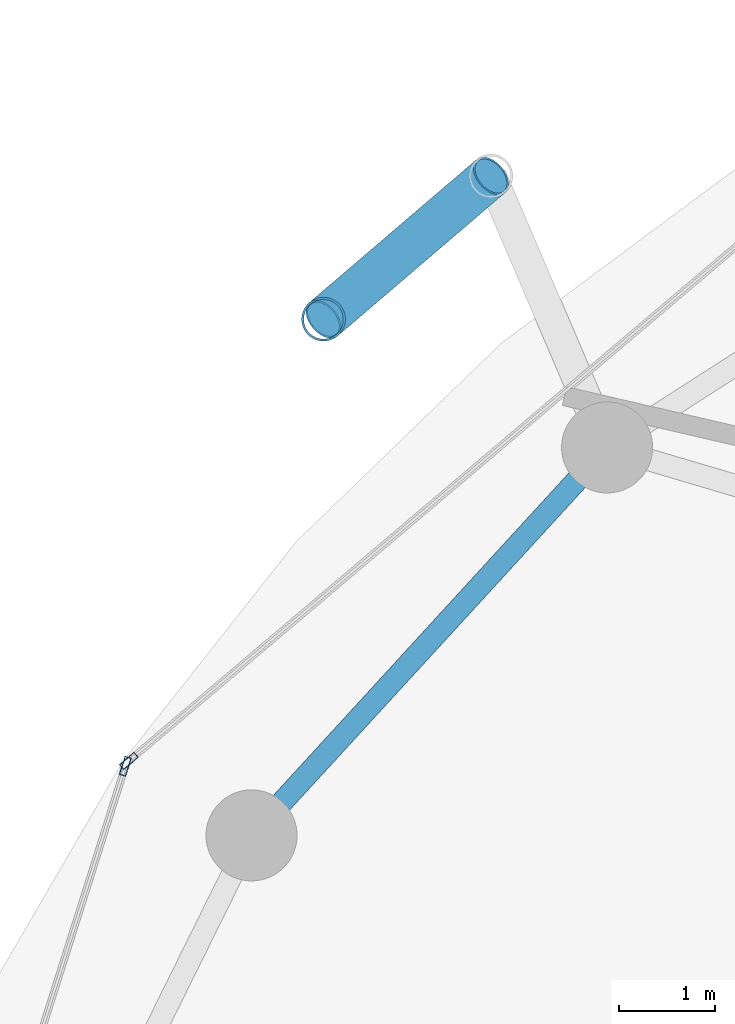
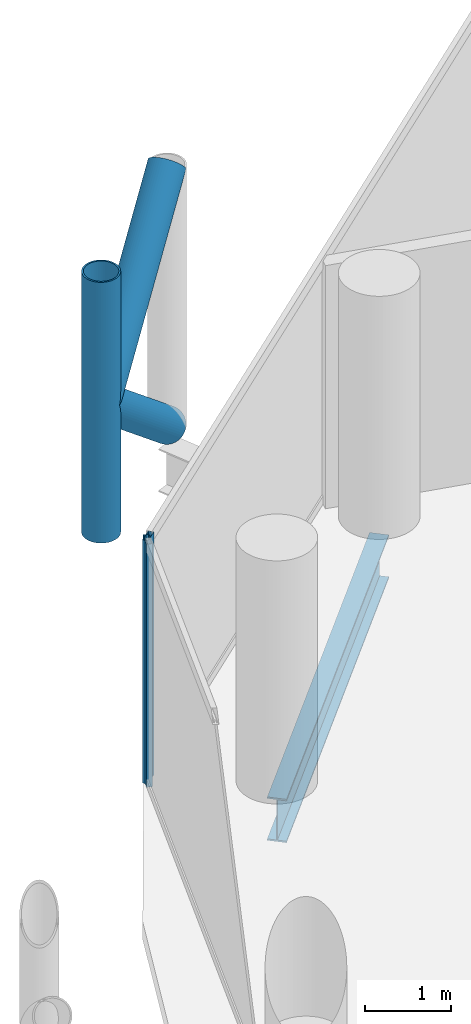
# One storey, part 13 of 26: 5 members, 1 beam, 2 elements without a shape of their own.
"""IFC4 building model written with IfcOpenShell, lengths in metres."""

from ifc_helpers import new_model, si_unit, direction, frame, origin, origin_2d, place, context, subcontext, project, spatial, hollow_rectangle, hollow_circle, i_section, extrude, material, layer, layer_set, material_profile, profile_set, type_object, element, aggregate, save


model = new_model("IFC4")

# Units and contexts
model_context = context("Model", 3, precision=1e-05, world=origin(), true_north=direction((0.0, 1.0)))
body_context = subcontext(model_context, "Body", "Model", "MODEL_VIEW")
ifc_project = project(units=[si_unit("LENGTHUNIT", "METRE"), si_unit("AREAUNIT", "SQUARE_METRE"), si_unit("VOLUMEUNIT", "CUBIC_METRE"), si_unit("PLANEANGLEUNIT", "RADIAN"), si_unit("MASSUNIT", "GRAM", prefix="KILO")], contexts=[model_context])

# Site, building, storey
site_placement = place(None, origin())
site = spatial("IfcSite", under=ifc_project, at=site_placement, CompositionType="ELEMENT")
building_placement = place(site_placement, origin())
building = spatial("IfcBuilding", under=site, at=building_placement, Name="Nuhasar Tower", CompositionType="ELEMENT")
storey_placement = place(building_placement, frame((0.0, 0.0, 125.64990234375)))
storey = spatial("IfcBuildingStorey", under=building, at=storey_placement, Name="L29", CompositionType="ELEMENT", Elevation=125.64990234375)

# Beam
ifc_material_1 = material(Name="Steel S355", Category="steel")
ifc_material_profile_1 = material_profile(ifc_material_1, i_section(OverallWidth=0.22998046875, OverallDepth=0.616943359375, WebThickness=0.01318359375, FlangeThickness=0.022216796875, at=origin_2d()), Name="W24X94")
ifc_profile_set_1 = profile_set([ifc_material_profile_1], Name="Steel S355")
beam_type = type_object("IfcBeamType", Name="BM-RING-W24X94", PredefinedType="SPANDREL", material=ifc_profile_set_1)
beam_placement = place(storey_placement, frame((22.489013671875, 40.6240234375, -0.557861328125), z_axis=(-0.675654174897, -0.737218716491, 0.0), x_axis=(0.737218716491, -0.675654174897, 0.0)))
element("IfcBeam", 1, at=beam_placement, inside=storey, type_object=beam_type, Name="L29 Perimeter Ring Spandrel 10", PredefinedType="SPANDREL", context=body_context, shape_type="SweptSolid", body=[
    extrude(i_section(OverallWidth=0.22998046875, OverallDepth=0.616943359375, WebThickness=0.01318359375, FlangeThickness=0.022216796875, at=origin_2d()), origin(), (0.0, 0.0, 1.0), 5.492431640625),
])

# Curtain wall, member
ifc_material_2 = material(Name="Aluminium 6063-T6", Category="aluminium")
ifc_layer = layer(ifc_material_2, 0.199951171875)
ifc_layer_set = layer_set([ifc_layer], Name="Aluminium 6063-T6")
curtain_wall_type = type_object("IfcCurtainWallType", Name="CW-Z2-HTL", PredefinedType="NOTDEFINED", material=ifc_layer_set)
curtain_wall_1_placement = place(storey_placement, origin())
curtain_wall_1 = element("IfcCurtainWall", 2, at=curtain_wall_1_placement, inside=storey, type_object=curtain_wall_type, Name="L29 Unitised Curtain Wall 05", PredefinedType="NOTDEFINED")
ifc_material_profile_2 = material_profile(ifc_material_2, hollow_rectangle(XDim=0.070068359375, YDim=0.199951171875, WallThickness=0.0048828125, at=origin_2d()), Name="CWM-3")
ifc_profile_set_2 = profile_set([ifc_material_profile_2], Name="Aluminium 6063-T6")
member_type_1 = type_object("IfcMemberType", Name="CW-MUL-S3", PredefinedType="MULLION", material=ifc_profile_set_2)
member_1_placement = place(storey_placement, frame((17.497802734375, 37.3525390625, 0.0), z_axis=(0.0, 0.0, 1.0), x_axis=(0.646374438324, -0.763020370292, 0.0)))
member_1 = element("IfcMember", 3, at=member_1_placement, type_object=member_type_1, Name="CW-Z2 mullion 2", PredefinedType="MULLION", context=body_context, shape_type="SweptSolid", body=[
    extrude(hollow_rectangle(XDim=0.070068359375, YDim=0.199951171875, WallThickness=0.0048828125, at=origin_2d()), origin(), (0.0, 0.0, 1.0), 3.4501953125),
])
aggregate(curtain_wall_1, [member_1])

curtain_wall_2_placement = place(storey_placement, origin())
curtain_wall_2 = element("IfcCurtainWall", 4, at=curtain_wall_2_placement, inside=storey, type_object=curtain_wall_type, Name="L29 Unitised Curtain Wall 06", PredefinedType="NOTDEFINED")
member_2_placement = place(storey_placement, frame((17.46044921875, 37.296630859375, 0.0), z_axis=(0.0, 0.0, 1.0), x_axis=(0.953433389233, -0.301603667577, 0.0)))
member_2 = element("IfcMember", 5, at=member_2_placement, type_object=member_type_1, Name="CW-Z2 mullion 1", PredefinedType="MULLION", context=body_context, shape_type="SweptSolid", body=[
    extrude(hollow_rectangle(XDim=0.070068359375, YDim=0.199951171875, WallThickness=0.0048828125, at=origin_2d()), origin(), (0.0, 0.0, 1.0), 3.4501953125),
])
aggregate(curtain_wall_2, [member_2])

# Members
ifc_material_3 = material(Name="Steel S460", Category="steel")
ifc_material_profile_3 = material_profile(ifc_material_3, hollow_circle(Radius=0.228515625, WallThickness=0.022216796875, at=origin_2d()), Name="HSS457X22.2")
ifc_profile_set_3 = profile_set([ifc_material_profile_3], Name="Steel S460")
member_type_2 = type_object("IfcMemberType", Name="EXO-BRONZE-457", PredefinedType="BRACE", material=ifc_profile_set_3)
member_3_placement = place(storey_placement, frame((19.529052734375, 41.9619140625, 0.0), z_axis=(0.0, 0.0, 1.0), x_axis=(1.0, 0.0, 0.0)))
element("IfcMember", 6, at=member_3_placement, inside=storey, type_object=member_type_2, Name="L29 Exoskeleton Chord Column EC-05B", PredefinedType="BRACE", context=body_context, shape_type="SweptSolid", body=[
    extrude(hollow_circle(Radius=0.228515625, WallThickness=0.022216796875, at=origin_2d()), origin(), (0.0, 0.0, 1.0), 3.7001953125),
])
for number, where, z_axis, x_axis, name in (
    (7, (21.277099609375, 43.45703125, 0.0), (-0.592170370358, -0.506487618445, 0.626741210415), (0.649986859795, -0.759945446788, 0.0), "L29 Bronze Diagrid Brace W1-05"),
    (8, (19.529052734375, 41.9619140625, 1.85009765625), (0.592170370358, 0.506487618445, 0.626741210415), (-0.649986859795, 0.759945446788, 0.0), "L29 Bronze Diagrid Brace W2-05"),
):
    element("IfcMember", number, at=place(storey_placement, frame(where, z_axis=z_axis, x_axis=x_axis)), inside=storey, type_object=member_type_2, Name=name, PredefinedType="BRACE", context=body_context, shape_type="SweptSolid", body=[
        extrude(hollow_circle(Radius=0.228515625, WallThickness=0.022216796875, at=origin_2d()), origin(), (0.0, 0.0, 1.0), 2.951904296875),
    ])

save(model, "model.ifc")
